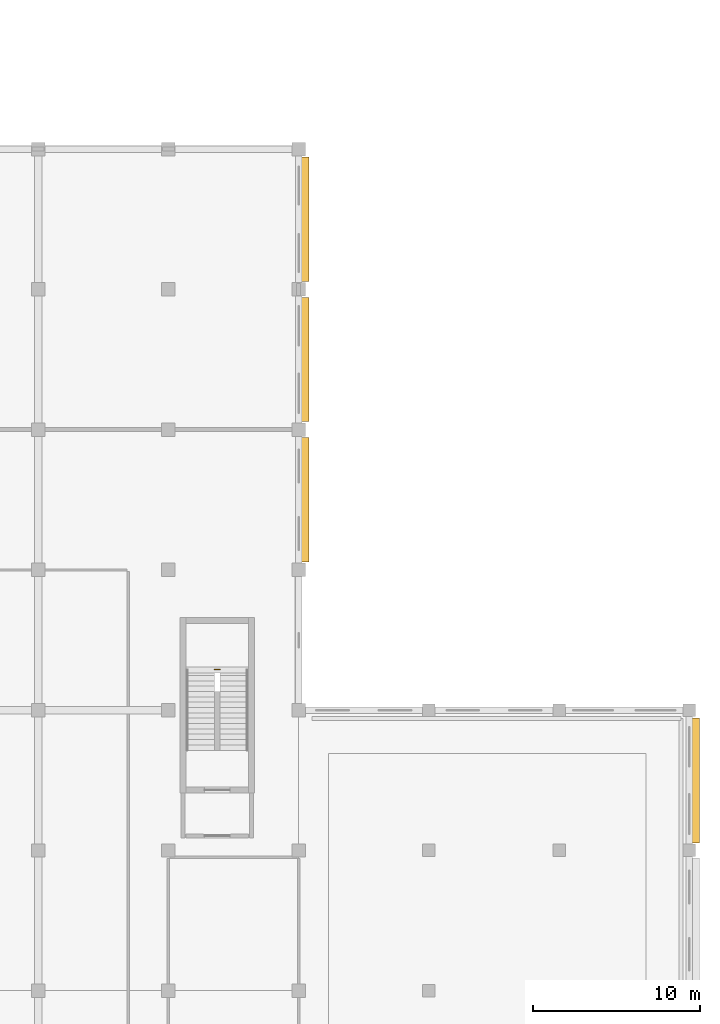
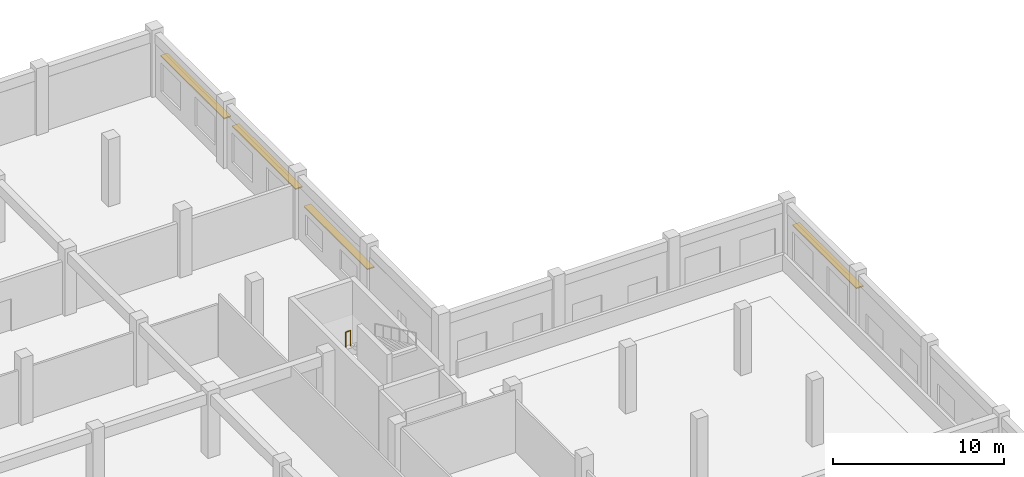
# One storey, part 62 of 62: 4 shading devices, 1 railing.
"""IFC4 building model written with IfcOpenShell, lengths in metres."""

import ifcopenshell
import ifcopenshell.guid

model = None  # the IFC model being written
_history = None  # IfcOwnerHistory: only IFC2X3 demands one
_inside = {}  # id of a spatial element -> (the spatial element, [elements in it])
_under = {}  # id of a project, library or spatial element -> (it, [spatial elements below it])
_declared = {}  # id of a project -> (the project, [libraries it declares])
_typed = {}  # id of a type object -> (the type object, [elements of that type])
_made_of = {}  # id of a material, layer set ... -> (it, [elements and type objects made of it])


def new_model(schema):
    """Start an empty IFC model of exactly this schema.

    Asked for "IFC4X3", IfcOpenShell would pick the latest addendum, in which some entities
    have other attributes; the version numbers below select the first issue.
    IFC2X3 requires an IfcOwnerHistory on every rooted entity: one is made here for all.
    """
    global model, _history
    if schema == "IFC4X3":
        model = ifcopenshell.file(schema_version=(4, 3, 0, 0))
    else:
        model = ifcopenshell.file(schema=schema)
    _inside.clear()
    _under.clear()
    _declared.clear()
    _typed.clear()
    _made_of.clear()
    _history = None
    if model.schema == "IFC2X3":
        org = make("IfcOrganization", Name="unknown")
        user = make(
            "IfcPersonAndOrganization",
            ThePerson=make("IfcPerson", FamilyName="unknown"),
            TheOrganization=org,
        )
        app = make(
            "IfcApplication",
            ApplicationDeveloper=org,
            Version="unknown",
            ApplicationFullName="unknown",
            ApplicationIdentifier="unknown",
        )
        _history = make(
            "IfcOwnerHistory",
            OwningUser=user,
            OwningApplication=app,
            ChangeAction="ADDED",
            CreationDate=0,
        )
    return model


def make(cls, **values):
    """One entity of the class cls with the attributes given. An attribute that is None is left unset."""
    return model.create_entity(
        cls, **{name: value for name, value in values.items() if value is not None}
    )


def rooted(cls, **values):
    """An entity with a GlobalId (a new one), such as an element, a storey or a relation."""
    return make(cls, GlobalId=ifcopenshell.guid.new(), OwnerHistory=_history, **values)


def si_unit(unit_type, name, prefix=None):
    """IfcSIUnit, for example si_unit("LENGTHUNIT", "METRE", prefix="MILLI")."""
    return make("IfcSIUnit", UnitType=unit_type, Prefix=prefix, Name=name)


def assignment(units):
    """IfcUnitAssignment: the units of a project."""
    return None if units is None else make("IfcUnitAssignment", Units=units)


def point(xyz):
    """IfcCartesianPoint."""
    return None if xyz is None else make("IfcCartesianPoint", Coordinates=xyz)


def direction(xyz):
    """IfcDirection."""
    return None if xyz is None else make("IfcDirection", DirectionRatios=xyz)


def frame(location, z_axis=None, x_axis=None):
    """IfcAxis2Placement3D, a coordinate frame: its origin and axes. An axis left out is left unset."""
    return make(
        "IfcAxis2Placement3D",
        Location=point(location),
        Axis=direction(z_axis),
        RefDirection=direction(x_axis),
    )


def frame_2d(location, x_axis=None):
    """IfcAxis2Placement2D, a coordinate frame in the plane: its origin and x axis."""
    return make(
        "IfcAxis2Placement2D", Location=point(location), RefDirection=direction(x_axis)
    )


def origin():
    """The frame at (0, 0, 0) with its axes left unset."""
    return frame((0.0, 0.0, 0.0))


def origin_2d():
    """The frame at (0, 0) in the plane with its x axis left unset."""
    return frame_2d((0.0, 0.0))


def place(relative_to, where):
    """IfcLocalPlacement: puts the frame where relative to a parent placement (None: the world)."""
    return make(
        "IfcLocalPlacement", PlacementRelTo=relative_to, RelativePlacement=where
    )


def context(
    kind, dimensions, precision=None, world=None, true_north=None, identifier=None
):
    """IfcGeometricRepresentationContext, for example the 3D "Model" context."""
    return make(
        "IfcGeometricRepresentationContext",
        ContextIdentifier=identifier,
        ContextType=kind,
        CoordinateSpaceDimension=dimensions,
        Precision=precision,
        WorldCoordinateSystem=world,
        TrueNorth=true_north,
    )


def subcontext(parent, identifier, kind, view, scale=None):
    """IfcGeometricRepresentationSubContext, for example "Body" below "Model"."""
    return make(
        "IfcGeometricRepresentationSubContext",
        ContextIdentifier=identifier,
        ContextType=kind,
        ParentContext=parent,
        TargetScale=scale,
        TargetView=view,
    )


def project(units=None, contexts=None):
    """IfcProject with its units and contexts."""
    return rooted(
        "IfcProject",
        Name="project",
        RepresentationContexts=contexts,
        UnitsInContext=assignment(units),
    )


def spatial(cls, under=None, at=None, **own):
    """A site, building, storey or space (cls), placed at a placement, below another one or the project."""
    s = rooted(cls, ObjectPlacement=at, **own)
    if under is not None:
        _under.setdefault(under.id(), (under, []))[1].append(s)
    return s


def profile(cls, at=None, kind="AREA", **sizes):
    """A parametric profile (cls). Its sizes go by their IFC names, for example OverallWidth=200.0."""
    return make(cls, ProfileType=kind, Position=at, **sizes)


def rectangle(**sizes):
    """IfcRectangleProfileDef."""
    return profile("IfcRectangleProfileDef", **sizes)


def circle(**sizes):
    """IfcCircleProfileDef."""
    return profile("IfcCircleProfileDef", **sizes)


def extrude(swept, where, along, depth):
    """IfcExtrudedAreaSolid: the profile swept, set in the frame where, extruded along a direction by depth."""
    return make(
        "IfcExtrudedAreaSolid",
        SweptArea=swept,
        Position=where,
        ExtrudedDirection=direction(along),
        Depth=depth,
    )


def shape(context_of_items, identifier, shape_type, items):
    """IfcShapeRepresentation: the items that make up one representation, for example the "Body"."""
    return make(
        "IfcShapeRepresentation",
        ContextOfItems=context_of_items,
        RepresentationIdentifier=identifier,
        RepresentationType=shape_type,
        Items=items,
    )


def material(Name=None, Category=None):
    """IfcMaterial."""
    return make("IfcMaterial", Name=Name, Category=Category)


def layer(
    of_material, thickness, ventilated=None, Name=None, Category=None, Priority=None
):
    """IfcMaterialLayer: one layer of a wall or slab, of a material (None: an air gap)."""
    return make(
        "IfcMaterialLayer",
        Material=of_material,
        LayerThickness=thickness,
        IsVentilated=ventilated,
        Name=Name,
        Category=Category,
        Priority=Priority,
    )


def layer_set(layers, Name=None):
    """IfcMaterialLayerSet."""
    return make("IfcMaterialLayerSet", MaterialLayers=layers, LayerSetName=Name)


def made_of(thing, what):
    """Note that an element or type object is made of a material, layer set ...; save() writes the relation."""
    if what is not None:
        _made_of.setdefault(what.id(), (what, []))[1].append(thing)
    return thing


def type_object(cls, material=None, **own):
    """A type object (cls), such as IfcWallType, which elements share."""
    return made_of(rooted(cls, **own), material)


def element(
    cls,
    number,
    at=None,
    inside=None,
    cuts=None,
    type_object=None,
    material=None,
    context=None,
    identifier="Body",
    shape_type=None,
    held_by="IfcProductDefinitionShape",
    body=None,
    shapes=None,
    **own,
):
    """One element of the class cls, such as IfcWall. Its Tag is "e" and its number.

    at: its placement. inside: the storey or other place that contains it. cuts: it is an
    opening in that element (IfcRelVoidsElement). A single representation is given by context,
    identifier, shape_type and body (its items); several are given by shapes. held_by: the class
    of the entity that holds the representations. save() writes the other relations.
    """
    e = rooted(cls, Tag="e%d" % number, ObjectPlacement=at, **own)
    if body is not None:
        shapes = [shape(context, identifier, shape_type, body)]
    if shapes is not None:
        e.Representation = make(held_by, Representations=shapes)
    if inside is not None:
        _inside.setdefault(inside.id(), (inside, []))[1].append(e)
    if cuts is not None:
        rooted(
            "IfcRelVoidsElement", RelatingBuildingElement=cuts, RelatedOpeningElement=e
        )
    if type_object is not None:
        _typed.setdefault(type_object.id(), (type_object, []))[1].append(e)
    return made_of(e, material)


def aggregate(whole, parts):
    """IfcRelAggregates: a whole, such as a stair, and the parts it consists of."""
    return rooted("IfcRelAggregates", RelatingObject=whole, RelatedObjects=parts)


def save(model, path):
    """Write the relations noted so far, then the file.

    IfcRelAggregates (storeys below a building ...), IfcRelContainedInSpatialStructure (elements
    in a storey), IfcRelDefinesByType, IfcRelAssociatesMaterial and IfcRelDeclares: one each for
    every whole, place, type object, material and project.
    """
    for whole, parts in _under.values():
        aggregate(whole, parts)
    for where, things in _inside.values():
        rooted(
            "IfcRelContainedInSpatialStructure",
            RelatedElements=things,
            RelatingStructure=where,
        )
    for kind, things in _typed.values():
        rooted("IfcRelDefinesByType", RelatedObjects=things, RelatingType=kind)
    for what, things in _made_of.values():
        rooted("IfcRelAssociatesMaterial", RelatedObjects=things, RelatingMaterial=what)
    for by, libraries in _declared.values():
        rooted("IfcRelDeclares", RelatingContext=by, RelatedDefinitions=libraries)
    model.write(path)


model = new_model("IFC4")

# Units and contexts
model_context = context("Model", 3, precision=1e-05, world=origin(), true_north=direction((0.0, 1.0)))
body_context = subcontext(model_context, "Body", "Model", "MODEL_VIEW")
ifc_project = project(units=[si_unit("LENGTHUNIT", "METRE"), si_unit("AREAUNIT", "SQUARE_METRE"), si_unit("VOLUMEUNIT", "CUBIC_METRE"), si_unit("PLANEANGLEUNIT", "RADIAN"), si_unit("MASSUNIT", "GRAM", prefix="KILO"), si_unit("THERMODYNAMICTEMPERATUREUNIT", "KELVIN"), si_unit("POWERUNIT", "WATT")], contexts=[model_context])

# Site, building, storey
site_placement = place(None, origin())
site = spatial("IfcSite", under=ifc_project, at=site_placement, CompositionType="ELEMENT")
building_placement = place(site_placement, origin())
building = spatial("IfcBuilding", under=site, at=building_placement, Name="Srebrne Nadtorze General Hospital", CompositionType="ELEMENT")
storey_placement = place(building_placement, frame((0.0, 0.0, 9.60009765625)))
storey = spatial("IfcBuildingStorey", under=building, at=storey_placement, Name="L02", CompositionType="ELEMENT", Elevation=9.60009765625)

# Shading devices
ifc_material_1 = material(Name="Anodised Aluminium", Category="aluminium")
ifc_layer = layer(ifc_material_1, 0.080078125)
ifc_layer_set = layer_set([ifc_layer], Name="Anodised Aluminium")
shading_device_type = type_object("IfcShadingDeviceType", Name="Hisashi horizontal aluminium sunshade", PredefinedType="JALOUSIE", material=ifc_layer_set)
for number, where, z_axis, x_axis, name in (
    (1, (148.580078125, 88.199951171875, 2.219970703125), (0.0, 0.0, 1.0), (1.0, 0.0, 0.0), "Hisashi horizontal sunshade eave LV-184"),
    (2, (148.580078125, 96.60009765625, 2.869873046875), (0.0, 0.0, 1.0), (1.0, 0.0, 0.0), "Hisashi horizontal sunshade eave LV-185"),
    (3, (148.580078125, 105.0, 2.81982421875), (0.0, 0.0, 1.0), (1.0, 0.0, 0.0), "Hisashi horizontal sunshade eave LV-186"),
):
    element("IfcShadingDevice", number, at=place(storey_placement, frame(where, z_axis=z_axis, x_axis=x_axis)), inside=storey, type_object=shading_device_type, Name=name, PredefinedType="JALOUSIE", context=body_context, shape_type="SweptSolid", body=[
        extrude(rectangle(XDim=0.47998046875, YDim=7.43994140625, at=origin_2d()), origin(), (0.0, 0.0, 1.0), 0.080078125),
    ])
shading_device_placement = place(storey_placement, frame((171.97998046875, 71.39990234375, 2.869873046875), z_axis=(0.0, 0.0, 1.0), x_axis=(1.0, 0.0, 0.0)))
element("IfcShadingDevice", 4, at=shading_device_placement, inside=storey, type_object=shading_device_type, Name="Hisashi horizontal sunshade eave LV-191", PredefinedType="JALOUSIE", context=body_context, shape_type="SweptSolid", body=[
    extrude(rectangle(XDim=0.47998046875, YDim=7.489990234375, at=origin_2d()), origin(), (0.0, 0.0, 1.0), 0.080078125),
])

# Railing
ifc_material_2 = material(Name="Stainless Steel 316", Category="steel")
railing_type = type_object("IfcRailingType", Name="Stairwell safety guard 1120", PredefinedType="BALUSTRADE", material=ifc_material_2)
railing_placement = place(storey_placement, frame((143.1650390625, 78.0400390625, 2.39990234375)))
element("IfcRailing", 5, at=railing_placement, inside=storey, type_object=railing_type, Name="Half landing well guard ST-04-L02", PredefinedType="BALUSTRADE", context=body_context, shape_type="SweptSolid", body=[
    extrude(circle(Radius=0.02392578125, at=origin_2d()), frame((0.0, 0.0, 1.09619140625), z_axis=(1.0, 0.0, 0.0), x_axis=(0.0, 1.0, 0.0)), (0.0, 0.0, 1.0), 0.320068359375),
    extrude(circle(Radius=0.02099609375, at=origin_2d()), origin(), (0.0, 0.0, 1.0), 1.072021484375),
    extrude(circle(Radius=0.02099609375, at=origin_2d()), frame((0.320068359375, 0.0, 0.0)), (0.0, 0.0, 1.0), 1.072021484375),
])

save(model, "model.ifc")
